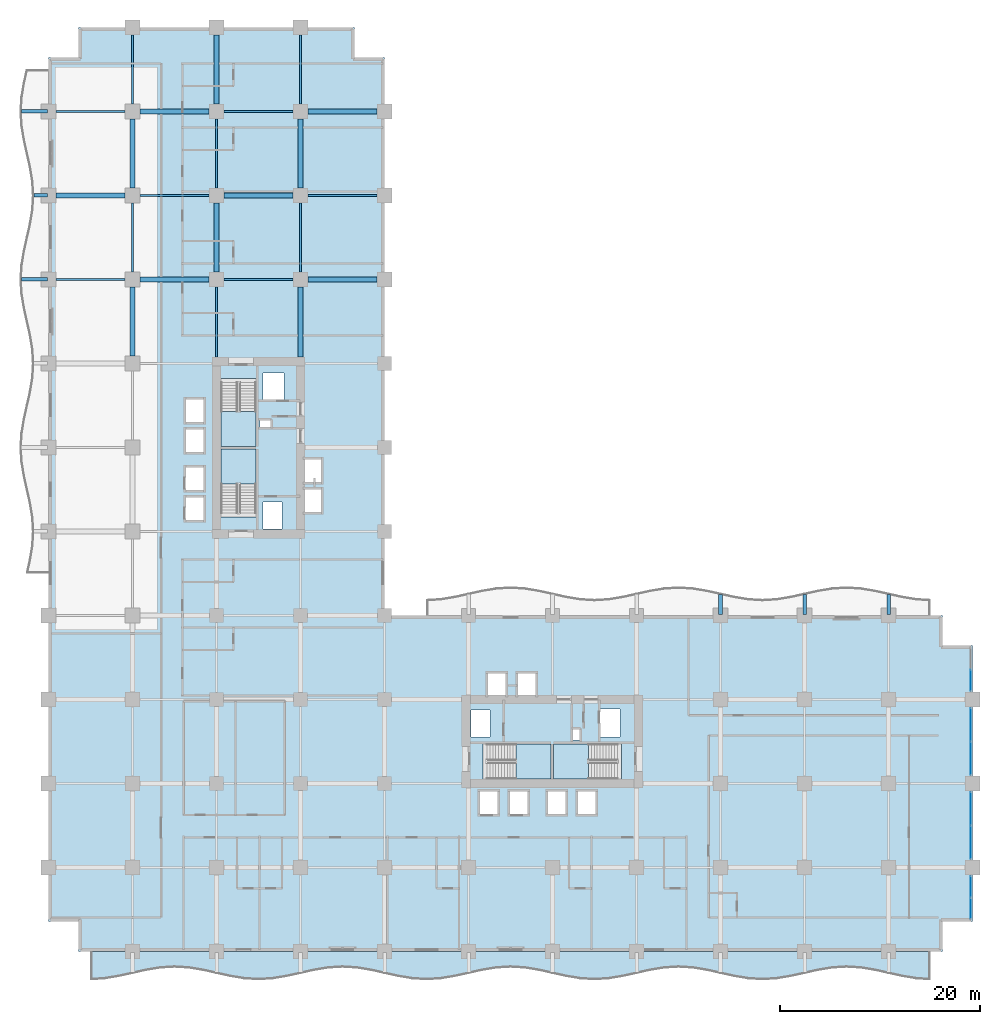
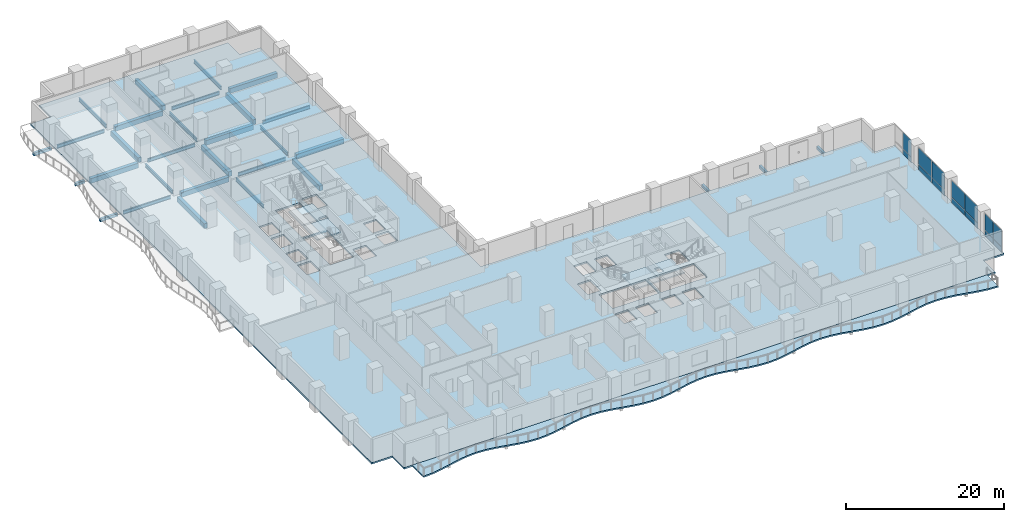
# One storey, part 8 of 27: 30 beams, 14 plates, 6 slabs, 8 elements without a shape of their own.
"""IFC4 building model written with IfcOpenShell, lengths in metres."""

from ifc_helpers import new_model, si_unit, direction, frame, origin, origin_2d, place, context, subcontext, project, spatial, polyline, rectangle, i_section, outline, extrude, material, layer, layer_set, material_profile, profile_set, type_object, element, aggregate, save


model = new_model("IFC4")

# Units and contexts
model_context = context("Model", 3, precision=1e-05, world=origin(), true_north=direction((0.0, 1.0)))
body_context = subcontext(model_context, "Body", "Model", "MODEL_VIEW")
ifc_project = project(units=[si_unit("LENGTHUNIT", "METRE"), si_unit("AREAUNIT", "SQUARE_METRE"), si_unit("VOLUMEUNIT", "CUBIC_METRE"), si_unit("PLANEANGLEUNIT", "RADIAN"), si_unit("MASSUNIT", "GRAM", prefix="KILO")], contexts=[model_context])

# Site, building, storey
site_placement = place(None, origin())
site = spatial("IfcSite", under=ifc_project, at=site_placement, CompositionType="ELEMENT")
building_placement = place(site_placement, origin())
building = spatial("IfcBuilding", under=site, at=building_placement, Name="Koriwani Terraces Tower", CompositionType="ELEMENT")
storey_placement = place(building_placement, frame((0.0, 0.0, 54.800048828125)))
storey = spatial("IfcBuildingStorey", under=building, at=storey_placement, Name="L12", CompositionType="ELEMENT", Elevation=54.800048828125)

# Beams
ifc_material_1 = material(Name="Concrete C40/50", Category="concrete")
ifc_material_profile_1 = material_profile(ifc_material_1, rectangle(XDim=0.35009765625, YDim=0.449951171875, at=origin_2d()), Name="Concrete C40/50", Category="LoadBearing")
ifc_profile_set_1 = profile_set([ifc_material_profile_1], Name="Concrete C40/50")
beam_type_1 = type_object("IfcBeamType", Name="BEAM_RC_BALCONY_RIB_350X450", PredefinedType="JOIST", material=ifc_profile_set_1)
beam_1_placement = place(storey_placement, frame((-2.699951171875, 67.199951171875, -0.47509765625), z_axis=(1.0, 0.0, 0.0), x_axis=(0.0, 1.0, 0.0)))
element("IfcBeam", 1, at=beam_1_placement, inside=storey, type_object=beam_type_1, Name="L12 Balcony Bracket Rib W-4", PredefinedType="JOIST", context=body_context, shape_type="SweptSolid", body=[
    extrude(rectangle(XDim=0.35009765625, YDim=0.449951171875, at=origin_2d()), origin(), (0.0, 0.0, 1.0), 2.599853515625),
])
beam_2_placement = place(storey_placement, frame((-1.449951171875, 75.60009765625, -0.47509765625), z_axis=(1.0, 0.0, 0.0), x_axis=(0.0, 1.0, 0.0)))
element("IfcBeam", 2, at=beam_2_placement, inside=storey, type_object=beam_type_1, Name="L12 Balcony Bracket Rib W-5", PredefinedType="JOIST", context=body_context, shape_type="SweptSolid", body=[
    extrude(rectangle(XDim=0.35009765625, YDim=0.449951171875, at=origin_2d()), origin(), (0.0, 0.0, 1.0), 1.349853515625),
])
beam_3_placement = place(storey_placement, frame((-2.699951171875, 84.0, -0.47509765625), z_axis=(1.0, 0.0, 0.0), x_axis=(0.0, 1.0, 0.0)))
element("IfcBeam", 3, at=beam_3_placement, inside=storey, type_object=beam_type_1, Name="L12 Balcony Bracket Rib W-6", PredefinedType="JOIST", context=body_context, shape_type="SweptSolid", body=[
    extrude(rectangle(XDim=0.35009765625, YDim=0.449951171875, at=origin_2d()), origin(), (0.0, 0.0, 1.0), 2.599853515625),
])
for number, where, z_axis, x_axis, name in (
    (4, (67.199951171875, 33.699951171875, -0.47509765625), (0.0, 1.0, 0.0), (-1.0, 0.0, 0.0), "L12 Balcony Bracket Rib NE-4"),
    (5, (75.60009765625, 33.699951171875, -0.47509765625), (0.0, 1.0, 0.0), (-1.0, 0.0, 0.0), "L12 Balcony Bracket Rib NE-5"),
    (6, (84.0, 33.699951171875, -0.47509765625), (0.0, 1.0, 0.0), (-1.0, 0.0, 0.0), "L12 Balcony Bracket Rib NE-6"),
):
    element("IfcBeam", number, at=place(storey_placement, frame(where, z_axis=z_axis, x_axis=x_axis)), inside=storey, type_object=beam_type_1, Name=name, PredefinedType="JOIST", context=body_context, shape_type="SweptSolid", body=[
        extrude(rectangle(XDim=0.35009765625, YDim=0.449951171875, at=origin_2d()), origin(), (0.0, 0.0, 1.0), 1.97509765625),
    ])
ifc_material_2 = material(Name="Concrete C50/60", Category="concrete")
ifc_material_profile_2 = material_profile(ifc_material_2, rectangle(XDim=0.5, YDim=0.75, at=origin_2d()), Name="Concrete C50/60", Category="LoadBearing")
ifc_profile_set_2 = profile_set([ifc_material_profile_2], Name="Concrete C50/60")
beam_type_2 = type_object("IfcBeamType", Name="BEAM_RC_GRID_500X750", PredefinedType="BEAM", material=ifc_profile_set_2)
for number, where, z_axis, x_axis, name in (
    (7, (9.1298828125, 67.199951171875, -0.625), (1.0, 0.0, 0.0), (0.0, 1.0, 0.0), "L12 Grid Beam I (8.4-16.8m)"),
    (8, (25.929931640625, 67.199951171875, -0.625), (1.0, 0.0, 0.0), (0.0, 1.0, 0.0), "L12 Grid Beam I (25.2-33.6m)"),
):
    element("IfcBeam", number, at=place(storey_placement, frame(where, z_axis=z_axis, x_axis=x_axis)), inside=storey, type_object=beam_type_2, Name=name, PredefinedType="BEAM", context=body_context, shape_type="SweptSolid", body=[
        extrude(rectangle(XDim=0.5, YDim=0.75, at=origin_2d()), origin(), (0.0, 0.0, 1.0), 6.940185546875),
    ])
for number, where, z_axis, x_axis, name in (
    (9, (0.72998046875, 75.60009765625, -0.625), (1.0, 0.0, 0.0), (0.0, 1.0, 0.0), "L12 Grid Beam J (0.0-8.4m)"),
    (10, (17.530029296875, 75.60009765625, -0.625), (1.0, 0.0, 0.0), (0.0, 1.0, 0.0), "L12 Grid Beam J (16.8-25.2m)"),
):
    element("IfcBeam", number, at=place(storey_placement, frame(where, z_axis=z_axis, x_axis=x_axis)), inside=storey, type_object=beam_type_2, Name=name, PredefinedType="BEAM", context=body_context, shape_type="SweptSolid", body=[
        extrude(rectangle(XDim=0.5, YDim=0.75, at=origin_2d()), origin(), (0.0, 0.0, 1.0), 6.93994140625),
    ])
for number, where, z_axis, x_axis, name in (
    (11, (9.1298828125, 84.0, -0.625), (1.0, 0.0, 0.0), (0.0, 1.0, 0.0), "L12 Grid Beam K (8.4-16.8m)"),
    (12, (25.929931640625, 84.0, -0.625), (1.0, 0.0, 0.0), (0.0, 1.0, 0.0), "L12 Grid Beam K (25.2-33.6m)"),
):
    element("IfcBeam", number, at=place(storey_placement, frame(where, z_axis=z_axis, x_axis=x_axis)), inside=storey, type_object=beam_type_2, Name=name, PredefinedType="BEAM", context=body_context, shape_type="SweptSolid", body=[
        extrude(rectangle(XDim=0.5, YDim=0.75, at=origin_2d()), origin(), (0.0, 0.0, 1.0), 6.940185546875),
    ])
for number, where, z_axis, x_axis, name in (
    (13, (8.39990234375, 59.530029296875, -0.625), (0.0, 1.0, 0.0), (-1.0, 0.0, 0.0), "L12 Grid Beam 2 (58.8-67.2m)"),
    (14, (8.39990234375, 76.330078125, -0.625), (0.0, 1.0, 0.0), (-1.0, 0.0, 0.0), "L12 Grid Beam 2 (75.6-84.0m)"),
):
    element("IfcBeam", number, at=place(storey_placement, frame(where, z_axis=z_axis, x_axis=x_axis)), inside=storey, type_object=beam_type_2, Name=name, PredefinedType="BEAM", context=body_context, shape_type="SweptSolid", body=[
        extrude(rectangle(XDim=0.5, YDim=0.75, at=origin_2d()), origin(), (0.0, 0.0, 1.0), 6.93994140625),
    ])
beam_4_placement = place(storey_placement, frame((16.800048828125, 67.929931640625, -0.625), z_axis=(0.0, 1.0, 0.0), x_axis=(-1.0, 0.0, 0.0)))
element("IfcBeam", 15, at=beam_4_placement, inside=storey, type_object=beam_type_2, Name="L12 Grid Beam 3 (67.2-75.6m)", PredefinedType="BEAM", context=body_context, shape_type="SweptSolid", body=[
    extrude(rectangle(XDim=0.5, YDim=0.75, at=origin_2d()), origin(), (0.0, 0.0, 1.0), 6.940185546875),
])
beam_5_placement = place(storey_placement, frame((16.800048828125, 84.72998046875, -0.625), z_axis=(0.0, 1.0, 0.0), x_axis=(-1.0, 0.0, 0.0)))
element("IfcBeam", 16, at=beam_5_placement, inside=storey, type_object=beam_type_2, Name="L12 Grid Beam 3 (84.0-92.4m)", PredefinedType="BEAM", context=body_context, shape_type="SweptSolid", body=[
    extrude(rectangle(XDim=0.5, YDim=0.75, at=origin_2d()), origin(), (0.0, 0.0, 1.0), 6.93994140625),
])
beam_6_placement = place(storey_placement, frame((25.199951171875, 59.429931640625, -0.625), z_axis=(0.0, 1.0, 0.0), x_axis=(-1.0, 0.0, 0.0)))
element("IfcBeam", 17, at=beam_6_placement, inside=storey, type_object=beam_type_2, Name="L12 Grid Beam 4 (58.8-67.2m)", PredefinedType="BEAM", context=body_context, shape_type="SweptSolid", body=[
    extrude(rectangle(XDim=0.5, YDim=0.75, at=origin_2d()), origin(), (0.0, 0.0, 1.0), 7.0400390625),
])
beam_7_placement = place(storey_placement, frame((25.199951171875, 76.330078125, -0.625), z_axis=(0.0, 1.0, 0.0), x_axis=(-1.0, 0.0, 0.0)))
element("IfcBeam", 18, at=beam_7_placement, inside=storey, type_object=beam_type_2, Name="L12 Grid Beam 4 (75.6-84.0m)", PredefinedType="BEAM", context=body_context, shape_type="SweptSolid", body=[
    extrude(rectangle(XDim=0.5, YDim=0.75, at=origin_2d()), origin(), (0.0, 0.0, 1.0), 6.93994140625),
])
ifc_material_3 = material(Name="Steel ASTM A572 Grade 50", Category="steel")
ifc_material_profile_3 = material_profile(ifc_material_3, i_section(OverallWidth=0.2119140625, OverallDepth=0.54296875, WebThickness=0.0126953125, FlangeThickness=0.021240234375, at=origin_2d()), Name="Steel ASTM A572 Grade 50", Category="LoadBearing")
ifc_profile_set_3 = profile_set([ifc_material_profile_3], Name="Steel ASTM A572 Grade 50")
beam_type_3 = type_object("IfcBeamType", Name="STEEL_BEAM_W530X150", PredefinedType="BEAM", material=ifc_profile_set_3)
for number, where, z_axis, x_axis, name in (
    (19, (0.72998046875, 67.199951171875, -0.521484375), (1.0, 0.0, 0.0), (0.0, 1.0, 0.0), "L12 Grid Beam I (0.0-8.4m)"),
    (20, (17.530029296875, 67.199951171875, -0.521484375), (1.0, 0.0, 0.0), (0.0, 1.0, 0.0), "L12 Grid Beam I (16.8-25.2m)"),
):
    element("IfcBeam", number, at=place(storey_placement, frame(where, z_axis=z_axis, x_axis=x_axis)), inside=storey, type_object=beam_type_3, Name=name, PredefinedType="BEAM", context=body_context, shape_type="SweptSolid", body=[
        extrude(i_section(OverallWidth=0.2119140625, OverallDepth=0.54296875, WebThickness=0.0126953125, FlangeThickness=0.021240234375, at=origin_2d()), origin(), (0.0, 0.0, 1.0), 6.93994140625),
    ])
for number, where, z_axis, x_axis, name in (
    (21, (9.1298828125, 75.60009765625, -0.521484375), (1.0, 0.0, 0.0), (0.0, 1.0, 0.0), "L12 Grid Beam J (8.4-16.8m)"),
    (22, (25.929931640625, 75.60009765625, -0.521484375), (1.0, 0.0, 0.0), (0.0, 1.0, 0.0), "L12 Grid Beam J (25.2-33.6m)"),
):
    element("IfcBeam", number, at=place(storey_placement, frame(where, z_axis=z_axis, x_axis=x_axis)), inside=storey, type_object=beam_type_3, Name=name, PredefinedType="BEAM", context=body_context, shape_type="SweptSolid", body=[
        extrude(i_section(OverallWidth=0.2119140625, OverallDepth=0.54296875, WebThickness=0.0126953125, FlangeThickness=0.021240234375, at=origin_2d()), origin(), (0.0, 0.0, 1.0), 6.940185546875),
    ])
for number, where, z_axis, x_axis, name in (
    (23, (0.72998046875, 84.0, -0.521484375), (1.0, 0.0, 0.0), (0.0, 1.0, 0.0), "L12 Grid Beam K (0.0-8.4m)"),
    (24, (17.530029296875, 84.0, -0.521484375), (1.0, 0.0, 0.0), (0.0, 1.0, 0.0), "L12 Grid Beam K (16.8-25.2m)"),
):
    element("IfcBeam", number, at=place(storey_placement, frame(where, z_axis=z_axis, x_axis=x_axis)), inside=storey, type_object=beam_type_3, Name=name, PredefinedType="BEAM", context=body_context, shape_type="SweptSolid", body=[
        extrude(i_section(OverallWidth=0.2119140625, OverallDepth=0.54296875, WebThickness=0.0126953125, FlangeThickness=0.021240234375, at=origin_2d()), origin(), (0.0, 0.0, 1.0), 6.93994140625),
    ])
beam_8_placement = place(storey_placement, frame((8.39990234375, 67.929931640625, -0.521484375), z_axis=(0.0, 1.0, 0.0), x_axis=(-1.0, 0.0, 0.0)))
element("IfcBeam", 25, at=beam_8_placement, inside=storey, type_object=beam_type_3, Name="L12 Grid Beam 2 (67.2-75.6m)", PredefinedType="BEAM", context=body_context, shape_type="SweptSolid", body=[
    extrude(i_section(OverallWidth=0.2119140625, OverallDepth=0.54296875, WebThickness=0.0126953125, FlangeThickness=0.021240234375, at=origin_2d()), origin(), (0.0, 0.0, 1.0), 6.940185546875),
])
beam_9_placement = place(storey_placement, frame((8.39990234375, 84.72998046875, -0.521484375), z_axis=(0.0, 1.0, 0.0), x_axis=(-1.0, 0.0, 0.0)))
element("IfcBeam", 26, at=beam_9_placement, inside=storey, type_object=beam_type_3, Name="L12 Grid Beam 2 (84.0-92.4m)", PredefinedType="BEAM", context=body_context, shape_type="SweptSolid", body=[
    extrude(i_section(OverallWidth=0.2119140625, OverallDepth=0.54296875, WebThickness=0.0126953125, FlangeThickness=0.021240234375, at=origin_2d()), origin(), (0.0, 0.0, 1.0), 6.93994140625),
])
beam_10_placement = place(storey_placement, frame((16.800048828125, 59.429931640625, -0.521484375), z_axis=(0.0, 1.0, 0.0), x_axis=(-1.0, 0.0, 0.0)))
element("IfcBeam", 27, at=beam_10_placement, inside=storey, type_object=beam_type_3, Name="L12 Grid Beam 3 (58.8-67.2m)", PredefinedType="BEAM", context=body_context, shape_type="SweptSolid", body=[
    extrude(i_section(OverallWidth=0.2119140625, OverallDepth=0.54296875, WebThickness=0.0126953125, FlangeThickness=0.021240234375, at=origin_2d()), origin(), (0.0, 0.0, 1.0), 7.0400390625),
])
beam_11_placement = place(storey_placement, frame((16.800048828125, 76.330078125, -0.521484375), z_axis=(0.0, 1.0, 0.0), x_axis=(-1.0, 0.0, 0.0)))
element("IfcBeam", 28, at=beam_11_placement, inside=storey, type_object=beam_type_3, Name="L12 Grid Beam 3 (75.6-84.0m)", PredefinedType="BEAM", context=body_context, shape_type="SweptSolid", body=[
    extrude(i_section(OverallWidth=0.2119140625, OverallDepth=0.54296875, WebThickness=0.0126953125, FlangeThickness=0.021240234375, at=origin_2d()), origin(), (0.0, 0.0, 1.0), 6.93994140625),
])
beam_12_placement = place(storey_placement, frame((25.199951171875, 67.929931640625, -0.521484375), z_axis=(0.0, 1.0, 0.0), x_axis=(-1.0, 0.0, 0.0)))
element("IfcBeam", 29, at=beam_12_placement, inside=storey, type_object=beam_type_3, Name="L12 Grid Beam 4 (67.2-75.6m)", PredefinedType="BEAM", context=body_context, shape_type="SweptSolid", body=[
    extrude(i_section(OverallWidth=0.2119140625, OverallDepth=0.54296875, WebThickness=0.0126953125, FlangeThickness=0.021240234375, at=origin_2d()), origin(), (0.0, 0.0, 1.0), 6.940185546875),
])
beam_13_placement = place(storey_placement, frame((25.199951171875, 84.72998046875, -0.521484375), z_axis=(0.0, 1.0, 0.0), x_axis=(-1.0, 0.0, 0.0)))
element("IfcBeam", 30, at=beam_13_placement, inside=storey, type_object=beam_type_3, Name="L12 Grid Beam 4 (84.0-92.4m)", PredefinedType="BEAM", context=body_context, shape_type="SweptSolid", body=[
    extrude(i_section(OverallWidth=0.2119140625, OverallDepth=0.54296875, WebThickness=0.0126953125, FlangeThickness=0.021240234375, at=origin_2d()), origin(), (0.0, 0.0, 1.0), 6.93994140625),
])

# Curtain wall, plates
ifc_material_4 = material(Name="Anodised Bronze Aluminium", Category="aluminium")
ifc_layer_1 = layer(ifc_material_4, 0.179931640625, Name="Anodised Bronze Aluminium")
ifc_layer_set_1 = layer_set([ifc_layer_1], Name="Anodised Bronze Aluminium")
curtain_wall_type = type_object("IfcCurtainWallType", Name="CW_HOTEL_ZONE1", PredefinedType="NOTDEFINED", material=ifc_layer_set_1)
curtain_wall_1_placement = place(storey_placement, origin())
curtain_wall_1 = element("IfcCurtainWall", 31, at=curtain_wall_1_placement, inside=storey, type_object=curtain_wall_type, Name="L12 Unitised Curtain Wall (E_TIP) Bay 1", PredefinedType="NOTDEFINED")
ifc_material_5 = material(Name="Tempered Laminated Low-E Glass", Category="glass")
ifc_layer_2 = layer(ifc_material_5, 0.028076171875, Name="Tempered Laminated Low-E Glass")
ifc_layer_set_2 = layer_set([ifc_layer_2], Name="Tempered Laminated Low-E Glass")
plate_type = type_object("IfcPlateType", Name="CW_PANEL_VISION_28", PredefinedType="CURTAIN_PANEL", material=ifc_layer_set_2)
plate_1_placement = place(storey_placement, frame((92.22509765625, 27.132568359375, 0.06494140625), z_axis=(0.0, 0.0, 1.0), x_axis=(0.0, -1.0, 0.0)))
plate_1 = element("IfcPlate", 32, at=plate_1_placement, type_object=plate_type, Name="CW-Z1 panel 2.1", PredefinedType="CURTAIN_PANEL", context=body_context, shape_type="SweptSolid", body=[
    extrude(rectangle(XDim=2.094970703125, YDim=0.028076171875, at=origin_2d()), origin(), (0.0, 0.0, 1.0), 0.802490234375),
])
plate_2_placement = place(storey_placement, frame((92.22509765625, 27.132568359375, 0.9326171875), z_axis=(0.0, 0.0, 1.0), x_axis=(0.0, -1.0, 0.0)))
plate_2 = element("IfcPlate", 33, at=plate_2_placement, type_object=plate_type, Name="CW-Z1 panel 2.2", PredefinedType="CURTAIN_PANEL", context=body_context, shape_type="SweptSolid", body=[
    extrude(rectangle(XDim=2.094970703125, YDim=0.028076171875, at=origin_2d()), origin(), (0.0, 0.0, 1.0), 2.552490234375),
])
aggregate(curtain_wall_1, [plate_1, plate_2])

curtain_wall_2_placement = place(storey_placement, origin())
curtain_wall_2 = element("IfcCurtainWall", 34, at=curtain_wall_2_placement, inside=storey, type_object=curtain_wall_type, Name="L12 Unitised Curtain Wall (E_TIP) Bay 2", PredefinedType="NOTDEFINED")
plate_3_placement = place(storey_placement, frame((92.22509765625, 22.67626953125, 0.06494140625), z_axis=(0.0, 0.0, 1.0), x_axis=(0.0, -1.0, 0.0)))
plate_3 = element("IfcPlate", 35, at=plate_3_placement, type_object=plate_type, Name="CW-Z1 panel 1.1", PredefinedType="CURTAIN_PANEL", context=body_context, shape_type="SweptSolid", body=[
    extrude(rectangle(XDim=3.277587890625, YDim=0.028076171875, at=origin_2d()), origin(), (0.0, 0.0, 1.0), 0.802490234375),
])
plate_4_placement = place(storey_placement, frame((92.22509765625, 22.67626953125, 0.9326171875), z_axis=(0.0, 0.0, 1.0), x_axis=(0.0, -1.0, 0.0)))
plate_4 = element("IfcPlate", 36, at=plate_4_placement, type_object=plate_type, Name="CW-Z1 panel 1.2", PredefinedType="CURTAIN_PANEL", context=body_context, shape_type="SweptSolid", body=[
    extrude(rectangle(XDim=3.277587890625, YDim=0.028076171875, at=origin_2d()), origin(), (0.0, 0.0, 1.0), 2.552490234375),
])
plate_5_placement = place(storey_placement, frame((92.22509765625, 19.32373046875, 0.06494140625), z_axis=(0.0, 0.0, 1.0), x_axis=(0.0, -1.0, 0.0)))
plate_5 = element("IfcPlate", 37, at=plate_5_placement, type_object=plate_type, Name="CW-Z1 panel 2.1", PredefinedType="CURTAIN_PANEL", context=body_context, shape_type="SweptSolid", body=[
    extrude(rectangle(XDim=3.277587890625, YDim=0.028076171875, at=origin_2d()), origin(), (0.0, 0.0, 1.0), 0.802490234375),
])
plate_6_placement = place(storey_placement, frame((92.22509765625, 19.32373046875, 0.9326171875), z_axis=(0.0, 0.0, 1.0), x_axis=(0.0, -1.0, 0.0)))
plate_6 = element("IfcPlate", 38, at=plate_6_placement, type_object=plate_type, Name="CW-Z1 panel 2.2", PredefinedType="CURTAIN_PANEL", context=body_context, shape_type="SweptSolid", body=[
    extrude(rectangle(XDim=3.277587890625, YDim=0.028076171875, at=origin_2d()), origin(), (0.0, 0.0, 1.0), 2.552490234375),
])
aggregate(curtain_wall_2, [plate_3, plate_4, plate_5, plate_6])

curtain_wall_3_placement = place(storey_placement, origin())
curtain_wall_3 = element("IfcCurtainWall", 39, at=curtain_wall_3_placement, inside=storey, type_object=curtain_wall_type, Name="L12 Unitised Curtain Wall (E_TIP) Bay 3", PredefinedType="NOTDEFINED")
plate_7_placement = place(storey_placement, frame((92.22509765625, 14.2763671875, 0.06494140625), z_axis=(0.0, 0.0, 1.0), x_axis=(0.0, -1.0, 0.0)))
plate_7 = element("IfcPlate", 40, at=plate_7_placement, type_object=plate_type, Name="CW-Z1 panel 1.1", PredefinedType="CURTAIN_PANEL", context=body_context, shape_type="SweptSolid", body=[
    extrude(rectangle(XDim=3.277587890625, YDim=0.028076171875, at=origin_2d()), origin(), (0.0, 0.0, 1.0), 0.802490234375),
])
plate_8_placement = place(storey_placement, frame((92.22509765625, 14.2763671875, 0.9326171875), z_axis=(0.0, 0.0, 1.0), x_axis=(0.0, -1.0, 0.0)))
plate_8 = element("IfcPlate", 41, at=plate_8_placement, type_object=plate_type, Name="CW-Z1 panel 1.2", PredefinedType="CURTAIN_PANEL", context=body_context, shape_type="SweptSolid", body=[
    extrude(rectangle(XDim=3.277587890625, YDim=0.028076171875, at=origin_2d()), origin(), (0.0, 0.0, 1.0), 2.552490234375),
])
plate_9_placement = place(storey_placement, frame((92.22509765625, 10.923828125, 0.06494140625), z_axis=(0.0, 0.0, 1.0), x_axis=(0.0, -1.0, 0.0)))
plate_9 = element("IfcPlate", 42, at=plate_9_placement, type_object=plate_type, Name="CW-Z1 panel 2.1", PredefinedType="CURTAIN_PANEL", context=body_context, shape_type="SweptSolid", body=[
    extrude(rectangle(XDim=3.277587890625, YDim=0.028076171875, at=origin_2d()), origin(), (0.0, 0.0, 1.0), 0.802490234375),
])
plate_10_placement = place(storey_placement, frame((92.22509765625, 10.923828125, 0.9326171875), z_axis=(0.0, 0.0, 1.0), x_axis=(0.0, -1.0, 0.0)))
plate_10 = element("IfcPlate", 43, at=plate_10_placement, type_object=plate_type, Name="CW-Z1 panel 2.2", PredefinedType="CURTAIN_PANEL", context=body_context, shape_type="SweptSolid", body=[
    extrude(rectangle(XDim=3.277587890625, YDim=0.028076171875, at=origin_2d()), origin(), (0.0, 0.0, 1.0), 2.552490234375),
])
aggregate(curtain_wall_3, [plate_7, plate_8, plate_9, plate_10])

curtain_wall_4_placement = place(storey_placement, origin())
curtain_wall_4 = element("IfcCurtainWall", 44, at=curtain_wall_4_placement, inside=storey, type_object=curtain_wall_type, Name="L12 Unitised Curtain Wall (E_TIP) Bay 4", PredefinedType="NOTDEFINED")
plate_11_placement = place(storey_placement, frame((92.22509765625, 6.467529296875, 0.06494140625), z_axis=(0.0, 0.0, 1.0), x_axis=(0.0, -1.0, 0.0)))
plate_11 = element("IfcPlate", 45, at=plate_11_placement, type_object=plate_type, Name="CW-Z1 panel 1.1", PredefinedType="CURTAIN_PANEL", context=body_context, shape_type="SweptSolid", body=[
    extrude(rectangle(XDim=2.094970703125, YDim=0.028076171875, at=origin_2d()), origin(), (0.0, 0.0, 1.0), 0.802490234375),
])
plate_12_placement = place(storey_placement, frame((92.22509765625, 6.467529296875, 0.9326171875), z_axis=(0.0, 0.0, 1.0), x_axis=(0.0, -1.0, 0.0)))
plate_12 = element("IfcPlate", 46, at=plate_12_placement, type_object=plate_type, Name="CW-Z1 panel 1.2", PredefinedType="CURTAIN_PANEL", context=body_context, shape_type="SweptSolid", body=[
    extrude(rectangle(XDim=2.094970703125, YDim=0.028076171875, at=origin_2d()), origin(), (0.0, 0.0, 1.0), 2.552490234375),
])
plate_13_placement = place(storey_placement, frame((92.22509765625, 4.297607421875, 0.06494140625), z_axis=(0.0, 0.0, 1.0), x_axis=(0.0, -1.0, 0.0)))
plate_13 = element("IfcPlate", 47, at=plate_13_placement, type_object=plate_type, Name="CW-Z1 panel 2.1", PredefinedType="CURTAIN_PANEL", context=body_context, shape_type="SweptSolid", body=[
    extrude(rectangle(XDim=2.094970703125, YDim=0.028076171875, at=origin_2d()), origin(), (0.0, 0.0, 1.0), 0.802490234375),
])
plate_14_placement = place(storey_placement, frame((92.22509765625, 4.297607421875, 0.9326171875), z_axis=(0.0, 0.0, 1.0), x_axis=(0.0, -1.0, 0.0)))
plate_14 = element("IfcPlate", 48, at=plate_14_placement, type_object=plate_type, Name="CW-Z1 panel 2.2", PredefinedType="CURTAIN_PANEL", context=body_context, shape_type="SweptSolid", body=[
    extrude(rectangle(XDim=2.094970703125, YDim=0.028076171875, at=origin_2d()), origin(), (0.0, 0.0, 1.0), 2.552490234375),
])
aggregate(curtain_wall_4, [plate_11, plate_12, plate_13, plate_14])

# Slab
ifc_layer_3 = layer(ifc_material_1, 0.219970703125, Name="Concrete C40/50")
ifc_layer_set_3 = layer_set([ifc_layer_3], Name="Concrete C40/50")
slab_type_1 = type_object("IfcSlabType", Name="SLAB_BALCONY_220", PredefinedType="FLOOR", material=ifc_layer_set_3)
slab_1_placement = place(storey_placement, frame((0.0, 0.0, -0.219970703125)))
element("IfcSlab", 49, at=slab_1_placement, inside=storey, type_object=slab_type_1, Name="L12 Quilted Circular-Arc Balcony (S)", PredefinedType="FLOOR", context=body_context, shape_type="SweptSolid", body=[
    extrude(outline(polyline([(4.199951171875, 0.0), (5.60009765625, 0.0), (7.0, 0.0), (8.39990234375, 0.0), (9.800048828125, 0.0), (11.199951171875, 0.0), (12.60009765625, 0.0), (14.0, 0.0), (15.39990234375, 0.0), (16.800048828125, 0.0), (18.199951171875, 0.0), (19.60009765625, 0.0), (21.0, 0.0), (22.39990234375, 0.0), (23.800048828125, 0.0), (25.199951171875, 0.0), (26.60009765625, 0.0), (28.0, 0.0), (29.39990234375, 0.0), (30.800048828125, 0.0), (32.199951171875, 0.0), (33.60009765625, 0.0), (35.0, 0.0), (36.39990234375, 0.0), (37.800048828125, 0.0), (39.199951171875, 0.0), (40.60009765625, 0.0), (42.0, 0.0), (43.39990234375, 0.0), (44.800048828125, 0.0), (46.199951171875, 0.0), (47.60009765625, 0.0), (49.0, 0.0), (50.39990234375, 0.0), (51.800048828125, 0.0), (53.199951171875, 0.0), (54.60009765625, 0.0), (56.0, 0.0), (57.39990234375, 0.0), (58.800048828125, 0.0), (60.199951171875, 0.0), (61.60009765625, 0.0), (63.0, 0.0), (64.39990234375, 0.0), (65.800048828125, 0.0), (67.199951171875, 0.0), (68.60009765625, 0.0), (70.0, 0.0), (71.39990234375, 0.0), (72.800048828125, 0.0), (74.199951171875, 0.0), (75.60009765625, 0.0), (77.0, 0.0), (78.39990234375, 0.0), (79.800048828125, 0.0), (81.199951171875, 0.0), (82.60009765625, 0.0), (84.0, 0.0), (85.39990234375, 0.0), (86.800048828125, 0.0), (88.199951171875, 0.0), (88.199951171875, -2.85009765625), (86.800048828125, -2.766357421875), (85.39990234375, -2.53759765625), (84.0, -2.22509765625), (82.60009765625, -1.91259765625), (81.199951171875, -1.68359375), (79.800048828125, -1.60009765625), (78.39990234375, -1.68359375), (77.0, -1.91259765625), (75.60009765625, -2.22509765625), (74.199951171875, -2.53759765625), (72.800048828125, -2.766357421875), (71.39990234375, -2.85009765625), (70.0, -2.766357421875), (68.60009765625, -2.53759765625), (67.199951171875, -2.22509765625), (65.800048828125, -1.91259765625), (64.39990234375, -1.68359375), (63.0, -1.60009765625), (61.60009765625, -1.68359375), (60.199951171875, -1.91259765625), (58.800048828125, -2.22509765625), (57.39990234375, -2.53759765625), (56.0, -2.766357421875), (54.60009765625, -2.85009765625), (53.199951171875, -2.766357421875), (51.800048828125, -2.53759765625), (50.39990234375, -2.22509765625), (49.0, -1.91259765625), (47.60009765625, -1.68359375), (46.199951171875, -1.60009765625), (44.800048828125, -1.68359375), (43.39990234375, -1.91259765625), (42.0, -2.22509765625), (40.60009765625, -2.53759765625), (39.199951171875, -2.766357421875), (37.800048828125, -2.85009765625), (36.39990234375, -2.766357421875), (35.0, -2.53759765625), (33.60009765625, -2.22509765625), (32.199951171875, -1.91259765625), (30.800048828125, -1.68359375), (29.39990234375, -1.60009765625), (28.0, -1.68359375), (26.60009765625, -1.91259765625), (25.199951171875, -2.22509765625), (23.800048828125, -2.53759765625), (22.39990234375, -2.766357421875), (21.0, -2.85009765625), (19.60009765625, -2.766357421875), (18.199951171875, -2.53759765625), (16.800048828125, -2.22509765625), (15.39990234375, -1.91259765625), (14.0, -1.68359375), (12.60009765625, -1.60009765625), (11.199951171875, -1.68359375), (9.800048828125, -1.91259765625), (8.39990234375, -2.22509765625), (7.0, -2.53759765625), (5.60009765625, -2.766357421875), (4.199951171875, -2.85009765625), (4.199951171875, 0.0)])), origin(), (0.0, 0.0, 1.0), 0.219970703125),
])

# Stair, slab
stair_type = type_object("IfcStairType", Name="STAIR_CORE_DOGLEG_1650", PredefinedType="TWO_STRAIGHT_RUN_STAIR", material=ifc_material_1)
stair_1_placement = place(storey_placement, origin())
stair_1 = element("IfcStair", 50, at=stair_1_placement, inside=storey, type_object=stair_type, Name="L12 West Core Exit Stair 1", PredefinedType="HALF_TURN_STAIR")
ifc_layer_4 = layer(ifc_material_1, 0.199951171875, Name="Concrete C40/50")
ifc_layer_set_4 = layer_set([ifc_layer_4], Name="Concrete C40/50")
slab_type_2 = type_object("IfcSlabType", Name="SLAB_STAIR_LANDING_200", PredefinedType="LANDING", material=ifc_layer_set_4)
slab_2_placement = place(storey_placement, frame((0.0, 0.0, 1.699951171875)))
slab_2 = element("IfcSlab", 51, at=slab_2_placement, type_object=slab_type_2, Name="ST-W1 landing 1", PredefinedType="LANDING", context=body_context, shape_type="SweptSolid", body=[
    extrude(outline(polyline([(20.75, 46.75), (20.75, 50.25), (17.25, 50.25), (17.25, 46.75), (20.75, 46.75)])), origin(), (0.0, 0.0, 1.0), 0.199951171875),
])
aggregate(stair_1, [slab_2])

stair_2_placement = place(storey_placement, origin())
stair_2 = element("IfcStair", 52, at=stair_2_placement, inside=storey, type_object=stair_type, Name="L12 West Core Exit Stair 2", PredefinedType="HALF_TURN_STAIR")
slab_3_placement = place(storey_placement, frame((0.0, 0.0, 1.699951171875)))
slab_3 = element("IfcSlab", 53, at=slab_3_placement, type_object=slab_type_2, Name="ST-W2 landing 1", PredefinedType="LANDING", context=body_context, shape_type="SweptSolid", body=[
    extrude(outline(polyline([(17.25, 54.0), (17.25, 50.5), (20.75, 50.5), (20.75, 54.0), (17.25, 54.0)])), origin(), (0.0, 0.0, 1.0), 0.199951171875),
])
aggregate(stair_2, [slab_3])

stair_3_placement = place(storey_placement, origin())
stair_3 = element("IfcStair", 54, at=stair_3_placement, inside=storey, type_object=stair_type, Name="L12 East Core Exit Stair 1", PredefinedType="HALF_TURN_STAIR")
slab_4_placement = place(storey_placement, frame((0.0, 0.0, 1.699951171875)))
slab_4 = element("IfcSlab", 55, at=slab_4_placement, type_object=slab_type_2, Name="ST-E1 landing 1", PredefinedType="LANDING", context=body_context, shape_type="SweptSolid", body=[
    extrude(outline(polyline([(46.75, 17.25), (50.25, 17.25), (50.25, 20.75), (46.75, 20.75), (46.75, 17.25)])), origin(), (0.0, 0.0, 1.0), 0.199951171875),
])
aggregate(stair_3, [slab_4])

stair_4_placement = place(storey_placement, origin())
stair_4 = element("IfcStair", 56, at=stair_4_placement, inside=storey, type_object=stair_type, Name="L12 East Core Exit Stair 2", PredefinedType="HALF_TURN_STAIR")
slab_5_placement = place(storey_placement, frame((0.0, 0.0, 1.699951171875)))
slab_5 = element("IfcSlab", 57, at=slab_5_placement, type_object=slab_type_2, Name="ST-E2 landing 1", PredefinedType="LANDING", context=body_context, shape_type="SweptSolid", body=[
    extrude(outline(polyline([(54.0, 20.75), (50.5, 20.75), (50.5, 17.25), (54.0, 17.25), (54.0, 20.75)])), origin(), (0.0, 0.0, 1.0), 0.199951171875),
])
aggregate(stair_4, [slab_5])

# Slab
ifc_layer_5 = layer(ifc_material_1, 0.25, Name="Concrete C40/50")
ifc_layer_set_5 = layer_set([ifc_layer_5], Name="Concrete C40/50")
slab_type_3 = type_object("IfcSlabType", Name="SLAB_TOWER_TYP_250", PredefinedType="FLOOR", material=ifc_layer_set_5)
slab_6_placement = place(storey_placement, frame((0.0, 0.0, -0.25)))
element("IfcSlab", 58, at=slab_6_placement, inside=storey, type_object=slab_type_3, Name="L12 Structural Floor Slab", PredefinedType="FLOOR", context=body_context, shape_type="SweptSolid", body=[
    extrude(outline(polyline([(3.0, 0.0), (89.39990234375, 0.0), (89.39990234375, 3.0), (92.39990234375, 3.0), (92.39990234375, 30.60009765625), (89.39990234375, 30.60009765625), (89.39990234375, 33.60009765625), (33.60009765625, 33.60009765625), (33.60009765625, 89.39990234375), (30.60009765625, 89.39990234375), (30.60009765625, 92.39990234375), (3.0, 92.39990234375), (3.0, 89.39990234375), (0.0, 89.39990234375), (0.0, 3.0), (3.0, 3.0), (3.0, 0.0)]), holes=[polyline([(17.25, 43.4599609375), (20.75, 43.4599609375), (20.75, 50.25), (17.25, 50.25), (17.25, 43.4599609375)]), polyline([(17.25, 50.5), (20.75, 50.5), (20.75, 57.2900390625), (17.25, 57.2900390625), (17.25, 50.5)]), polyline([(43.4599609375, 17.25), (50.25, 17.25), (50.25, 20.75), (43.4599609375, 20.75), (43.4599609375, 17.25)]), polyline([(50.5, 17.25), (57.2900390625, 17.25), (57.2900390625, 20.75), (50.5, 20.75), (50.5, 17.25)]), polyline([(13.64990234375, 43.050048828125), (15.550048828125, 43.050048828125), (15.550048828125, 45.449951171875), (13.64990234375, 45.449951171875), (13.64990234375, 43.050048828125)]), polyline([(13.64990234375, 46.050048828125), (15.550048828125, 46.050048828125), (15.550048828125, 48.449951171875), (13.64990234375, 48.449951171875), (13.64990234375, 46.050048828125)]), polyline([(43.050048828125, 13.64990234375), (44.949951171875, 13.64990234375), (44.949951171875, 16.050048828125), (43.050048828125, 16.050048828125), (43.050048828125, 13.64990234375)]), polyline([(46.050048828125, 13.64990234375), (47.949951171875, 13.64990234375), (47.949951171875, 16.050048828125), (46.050048828125, 16.050048828125), (46.050048828125, 13.64990234375)]), polyline([(13.64990234375, 49.85009765625), (15.550048828125, 49.85009765625), (15.550048828125, 52.25), (13.64990234375, 52.25), (13.64990234375, 49.85009765625)]), polyline([(13.64990234375, 52.85009765625), (15.550048828125, 52.85009765625), (15.550048828125, 55.25), (13.64990234375, 55.25), (13.64990234375, 52.85009765625)]), polyline([(49.85009765625, 13.64990234375), (51.75, 13.64990234375), (51.75, 16.050048828125), (49.85009765625, 16.050048828125), (49.85009765625, 13.64990234375)]), polyline([(52.85009765625, 13.64990234375), (54.75, 13.64990234375), (54.75, 16.050048828125), (52.85009765625, 16.050048828125), (52.85009765625, 13.64990234375)]), polyline([(25.449951171875, 43.85009765625), (27.35009765625, 43.85009765625), (27.35009765625, 46.25), (25.449951171875, 46.25), (25.449951171875, 43.85009765625)]), polyline([(25.449951171875, 46.85009765625), (27.35009765625, 46.85009765625), (27.35009765625, 49.25), (25.449951171875, 49.25), (25.449951171875, 46.85009765625)]), polyline([(43.85009765625, 25.449951171875), (45.75, 25.449951171875), (45.75, 27.85009765625), (43.85009765625, 27.85009765625), (43.85009765625, 25.449951171875)]), polyline([(46.85009765625, 25.449951171875), (48.75, 25.449951171875), (48.75, 27.85009765625), (46.85009765625, 27.85009765625), (46.85009765625, 25.449951171875)]), polyline([(21.449951171875, 55.050048828125), (23.550048828125, 55.050048828125), (23.550048828125, 57.85009765625), (21.449951171875, 57.85009765625), (21.449951171875, 55.050048828125)]), polyline([(55.050048828125, 21.449951171875), (57.14990234375, 21.449951171875), (57.14990234375, 24.25), (55.050048828125, 24.25), (55.050048828125, 21.449951171875)]), polyline([(21.449951171875, 42.25), (23.35009765625, 42.25), (23.35009765625, 44.949951171875), (21.449951171875, 44.949951171875), (21.449951171875, 42.25)]), polyline([(42.25, 21.449951171875), (44.14990234375, 21.449951171875), (44.14990234375, 24.14990234375), (42.25, 24.14990234375), (42.25, 21.449951171875)]), polyline([(21.14990234375, 52.419921875), (22.219970703125, 52.419921875), (22.219970703125, 53.179931640625), (21.14990234375, 53.179931640625), (21.14990234375, 52.419921875)]), polyline([(52.419921875, 21.14990234375), (53.179931640625, 21.14990234375), (53.179931640625, 22.219970703125), (52.419921875, 22.219970703125), (52.419921875, 21.14990234375)])]), origin(), (0.0, 0.0, 1.0), 0.25),
])

save(model, "model.ifc")
